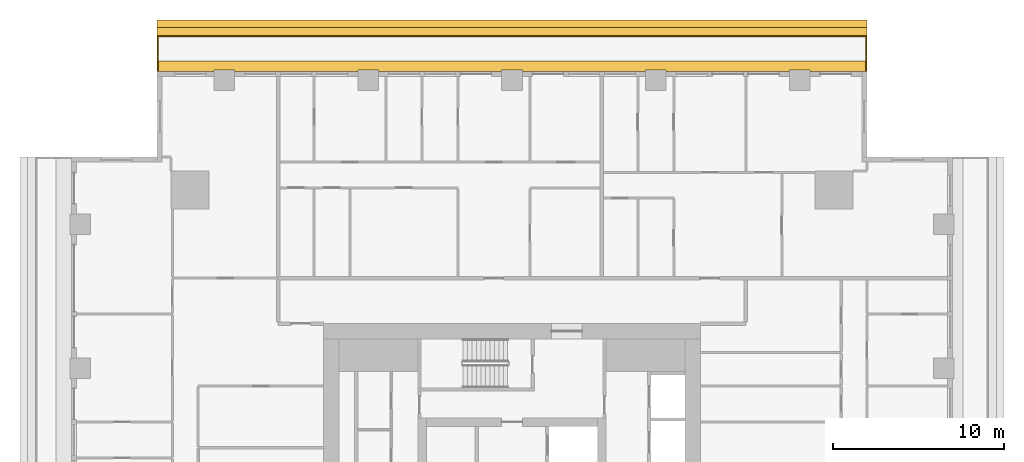
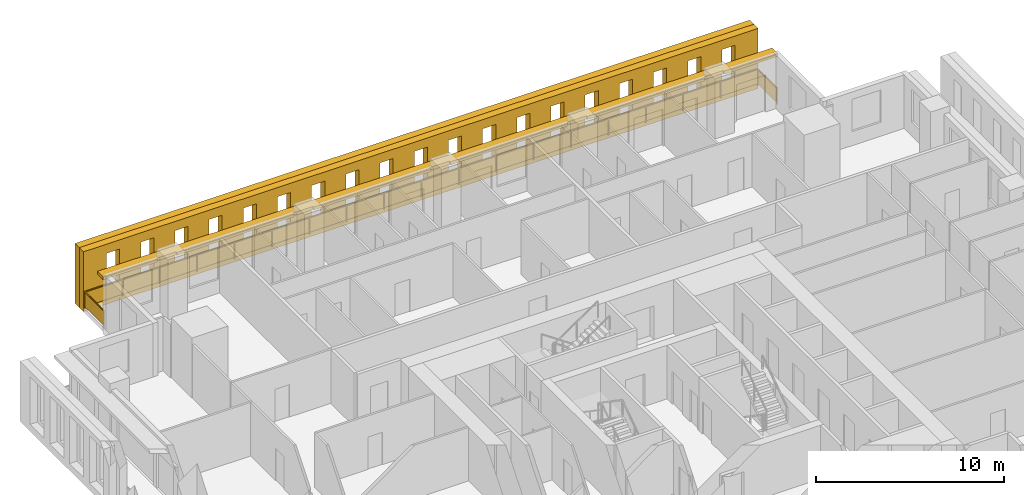
# One storey, part 15 of 15: 3 shading devices, 1 railing.
"""IFC4 building model written with IfcOpenShell, lengths in metres."""

import ifcopenshell
import ifcopenshell.guid

model = None  # the IFC model being written
_history = None  # IfcOwnerHistory: only IFC2X3 demands one
_inside = {}  # id of a spatial element -> (the spatial element, [elements in it])
_under = {}  # id of a project, library or spatial element -> (it, [spatial elements below it])
_declared = {}  # id of a project -> (the project, [libraries it declares])
_typed = {}  # id of a type object -> (the type object, [elements of that type])
_made_of = {}  # id of a material, layer set ... -> (it, [elements and type objects made of it])


def new_model(schema):
    """Start an empty IFC model of exactly this schema.

    Asked for "IFC4X3", IfcOpenShell would pick the latest addendum, in which some entities
    have other attributes; the version numbers below select the first issue.
    IFC2X3 requires an IfcOwnerHistory on every rooted entity: one is made here for all.
    """
    global model, _history
    if schema == "IFC4X3":
        model = ifcopenshell.file(schema_version=(4, 3, 0, 0))
    else:
        model = ifcopenshell.file(schema=schema)
    _inside.clear()
    _under.clear()
    _declared.clear()
    _typed.clear()
    _made_of.clear()
    _history = None
    if model.schema == "IFC2X3":
        org = make("IfcOrganization", Name="unknown")
        user = make(
            "IfcPersonAndOrganization",
            ThePerson=make("IfcPerson", FamilyName="unknown"),
            TheOrganization=org,
        )
        app = make(
            "IfcApplication",
            ApplicationDeveloper=org,
            Version="unknown",
            ApplicationFullName="unknown",
            ApplicationIdentifier="unknown",
        )
        _history = make(
            "IfcOwnerHistory",
            OwningUser=user,
            OwningApplication=app,
            ChangeAction="ADDED",
            CreationDate=0,
        )
    return model


def make(cls, **values):
    """One entity of the class cls with the attributes given. An attribute that is None is left unset."""
    return model.create_entity(
        cls, **{name: value for name, value in values.items() if value is not None}
    )


def rooted(cls, **values):
    """An entity with a GlobalId (a new one), such as an element, a storey or a relation."""
    return make(cls, GlobalId=ifcopenshell.guid.new(), OwnerHistory=_history, **values)


def si_unit(unit_type, name, prefix=None):
    """IfcSIUnit, for example si_unit("LENGTHUNIT", "METRE", prefix="MILLI")."""
    return make("IfcSIUnit", UnitType=unit_type, Prefix=prefix, Name=name)


def assignment(units):
    """IfcUnitAssignment: the units of a project."""
    return None if units is None else make("IfcUnitAssignment", Units=units)


def point(xyz):
    """IfcCartesianPoint."""
    return None if xyz is None else make("IfcCartesianPoint", Coordinates=xyz)


def direction(xyz):
    """IfcDirection."""
    return None if xyz is None else make("IfcDirection", DirectionRatios=xyz)


def frame(location, z_axis=None, x_axis=None):
    """IfcAxis2Placement3D, a coordinate frame: its origin and axes. An axis left out is left unset."""
    return make(
        "IfcAxis2Placement3D",
        Location=point(location),
        Axis=direction(z_axis),
        RefDirection=direction(x_axis),
    )


def frame_2d(location, x_axis=None):
    """IfcAxis2Placement2D, a coordinate frame in the plane: its origin and x axis."""
    return make(
        "IfcAxis2Placement2D", Location=point(location), RefDirection=direction(x_axis)
    )


def origin():
    """The frame at (0, 0, 0) with its axes left unset."""
    return frame((0.0, 0.0, 0.0))


def origin_2d():
    """The frame at (0, 0) in the plane with its x axis left unset."""
    return frame_2d((0.0, 0.0))


def place(relative_to, where):
    """IfcLocalPlacement: puts the frame where relative to a parent placement (None: the world)."""
    return make(
        "IfcLocalPlacement", PlacementRelTo=relative_to, RelativePlacement=where
    )


def context(
    kind, dimensions, precision=None, world=None, true_north=None, identifier=None
):
    """IfcGeometricRepresentationContext, for example the 3D "Model" context."""
    return make(
        "IfcGeometricRepresentationContext",
        ContextIdentifier=identifier,
        ContextType=kind,
        CoordinateSpaceDimension=dimensions,
        Precision=precision,
        WorldCoordinateSystem=world,
        TrueNorth=true_north,
    )


def subcontext(parent, identifier, kind, view, scale=None):
    """IfcGeometricRepresentationSubContext, for example "Body" below "Model"."""
    return make(
        "IfcGeometricRepresentationSubContext",
        ContextIdentifier=identifier,
        ContextType=kind,
        ParentContext=parent,
        TargetScale=scale,
        TargetView=view,
    )


def project(units=None, contexts=None):
    """IfcProject with its units and contexts."""
    return rooted(
        "IfcProject",
        Name="project",
        RepresentationContexts=contexts,
        UnitsInContext=assignment(units),
    )


def spatial(cls, under=None, at=None, **own):
    """A site, building, storey or space (cls), placed at a placement, below another one or the project."""
    s = rooted(cls, ObjectPlacement=at, **own)
    if under is not None:
        _under.setdefault(under.id(), (under, []))[1].append(s)
    return s


def polyline(points):
    """IfcPolyline through the points."""
    return make("IfcPolyline", Points=[point(p) for p in points])


def profile(cls, at=None, kind="AREA", **sizes):
    """A parametric profile (cls). Its sizes go by their IFC names, for example OverallWidth=200.0."""
    return make(cls, ProfileType=kind, Position=at, **sizes)


def rectangle(**sizes):
    """IfcRectangleProfileDef."""
    return profile("IfcRectangleProfileDef", **sizes)


def outline(outer, holes=None, kind="AREA"):
    """IfcArbitraryClosedProfileDef: a profile drawn as a closed curve; with holes, ...WithVoids."""
    if holes is None:
        return make("IfcArbitraryClosedProfileDef", ProfileType=kind, OuterCurve=outer)
    return make(
        "IfcArbitraryProfileDefWithVoids",
        ProfileType=kind,
        OuterCurve=outer,
        InnerCurves=holes,
    )


def extrude(swept, where, along, depth):
    """IfcExtrudedAreaSolid: the profile swept, set in the frame where, extruded along a direction by depth."""
    return make(
        "IfcExtrudedAreaSolid",
        SweptArea=swept,
        Position=where,
        ExtrudedDirection=direction(along),
        Depth=depth,
    )


def shape(context_of_items, identifier, shape_type, items):
    """IfcShapeRepresentation: the items that make up one representation, for example the "Body"."""
    return make(
        "IfcShapeRepresentation",
        ContextOfItems=context_of_items,
        RepresentationIdentifier=identifier,
        RepresentationType=shape_type,
        Items=items,
    )


def material(Name=None, Category=None):
    """IfcMaterial."""
    return make("IfcMaterial", Name=Name, Category=Category)


def layer(
    of_material, thickness, ventilated=None, Name=None, Category=None, Priority=None
):
    """IfcMaterialLayer: one layer of a wall or slab, of a material (None: an air gap)."""
    return make(
        "IfcMaterialLayer",
        Material=of_material,
        LayerThickness=thickness,
        IsVentilated=ventilated,
        Name=Name,
        Category=Category,
        Priority=Priority,
    )


def layer_set(layers, Name=None):
    """IfcMaterialLayerSet."""
    return make("IfcMaterialLayerSet", MaterialLayers=layers, LayerSetName=Name)


def made_of(thing, what):
    """Note that an element or type object is made of a material, layer set ...; save() writes the relation."""
    if what is not None:
        _made_of.setdefault(what.id(), (what, []))[1].append(thing)
    return thing


def type_object(cls, material=None, **own):
    """A type object (cls), such as IfcWallType, which elements share."""
    return made_of(rooted(cls, **own), material)


def element(
    cls,
    number,
    at=None,
    inside=None,
    cuts=None,
    type_object=None,
    material=None,
    context=None,
    identifier="Body",
    shape_type=None,
    held_by="IfcProductDefinitionShape",
    body=None,
    shapes=None,
    **own,
):
    """One element of the class cls, such as IfcWall. Its Tag is "e" and its number.

    at: its placement. inside: the storey or other place that contains it. cuts: it is an
    opening in that element (IfcRelVoidsElement). A single representation is given by context,
    identifier, shape_type and body (its items); several are given by shapes. held_by: the class
    of the entity that holds the representations. save() writes the other relations.
    """
    e = rooted(cls, Tag="e%d" % number, ObjectPlacement=at, **own)
    if body is not None:
        shapes = [shape(context, identifier, shape_type, body)]
    if shapes is not None:
        e.Representation = make(held_by, Representations=shapes)
    if inside is not None:
        _inside.setdefault(inside.id(), (inside, []))[1].append(e)
    if cuts is not None:
        rooted(
            "IfcRelVoidsElement", RelatingBuildingElement=cuts, RelatedOpeningElement=e
        )
    if type_object is not None:
        _typed.setdefault(type_object.id(), (type_object, []))[1].append(e)
    return made_of(e, material)


def aggregate(whole, parts):
    """IfcRelAggregates: a whole, such as a stair, and the parts it consists of."""
    return rooted("IfcRelAggregates", RelatingObject=whole, RelatedObjects=parts)


def save(model, path):
    """Write the relations noted so far, then the file.

    IfcRelAggregates (storeys below a building ...), IfcRelContainedInSpatialStructure (elements
    in a storey), IfcRelDefinesByType, IfcRelAssociatesMaterial and IfcRelDeclares: one each for
    every whole, place, type object, material and project.
    """
    for whole, parts in _under.values():
        aggregate(whole, parts)
    for where, things in _inside.values():
        rooted(
            "IfcRelContainedInSpatialStructure",
            RelatedElements=things,
            RelatingStructure=where,
        )
    for kind, things in _typed.values():
        rooted("IfcRelDefinesByType", RelatedObjects=things, RelatingType=kind)
    for what, things in _made_of.values():
        rooted("IfcRelAssociatesMaterial", RelatedObjects=things, RelatingMaterial=what)
    for by, libraries in _declared.values():
        rooted("IfcRelDeclares", RelatingContext=by, RelatedDefinitions=libraries)
    model.write(path)


model = new_model("IFC4")

# Units and contexts
model_context = context("Model", 3, precision=1e-05, world=origin(), true_north=direction((0.0, 1.0)))
body_context = subcontext(model_context, "Body", "Model", "MODEL_VIEW")
ifc_project = project(units=[si_unit("LENGTHUNIT", "METRE"), si_unit("AREAUNIT", "SQUARE_METRE"), si_unit("VOLUMEUNIT", "CUBIC_METRE"), si_unit("PLANEANGLEUNIT", "RADIAN"), si_unit("MASSUNIT", "GRAM", prefix="KILO")], contexts=[model_context])

# Site, building, storey
site_placement = place(None, origin())
site = spatial("IfcSite", under=ifc_project, at=site_placement, CompositionType="ELEMENT")
building_placement = place(site_placement, origin())
building = spatial("IfcBuilding", under=site, at=building_placement, Name="Khepri Terraces", CompositionType="ELEMENT")
storey_placement = place(building_placement, frame((0.0, 0.0, 244.5)))
storey = spatial("IfcBuildingStorey", under=building, at=storey_placement, Name="L58", CompositionType="ELEMENT", Elevation=244.5)

# Railing
ifc_material_1 = material(Name="Stainless steel grade 316", Category="steel")
railing_type = type_object("IfcRailingType", Name="GRD-BAL-1100", PredefinedType="GUARDRAIL", material=ifc_material_1)
railing_placement = place(storey_placement, frame((20.669921875, 25.719970703125, 0.0)))
element("IfcRailing", 1, at=railing_placement, inside=storey, type_object=railing_type, Name="Balcony guard L58 N", PredefinedType="GUARDRAIL", context=body_context, shape_type="SweptSolid", body=[
    extrude(rectangle(XDim=0.050048828125, YDim=0.06005859375, at=origin_2d()), frame((0.0, 0.0, 1.070068359375), z_axis=(0.0, 1.0, 0.0), x_axis=(-1.0, 0.0, 0.0)), (0.0, 0.0, 1.0), 2.050048828125),
    extrude(rectangle(XDim=2.0, YDim=0.011962890625, at=origin_2d()), frame((0.0, 1.02490234375, 0.10009765625), z_axis=(0.0, 0.0, 1.0), x_axis=(0.0, 1.0, 0.0)), (0.0, 0.0, 1.0), 0.93994140625),
    extrude(rectangle(XDim=0.050048828125, YDim=0.06005859375, at=origin_2d()), frame((0.0, 2.050048828125, 1.070068359375), z_axis=(-1.0, 0.0, 0.0), x_axis=(0.0, -1.0, 0.0)), (0.0, 0.0, 1.0), 41.33984375),
    extrude(rectangle(XDim=2.24658203125, YDim=0.011962890625, at=origin_2d()), frame((-1.1484375, 2.050048828125, 0.10009765625), z_axis=(0.0, 0.0, 1.0), x_axis=(-1.0, 0.0, 0.0)), (0.0, 0.0, 1.0), 0.93994140625),
    extrude(rectangle(XDim=2.24658203125, YDim=0.011962890625, at=origin_2d()), frame((-3.445068359375, 2.050048828125, 0.10009765625), z_axis=(0.0, 0.0, 1.0), x_axis=(-1.0, 0.0, 0.0)), (0.0, 0.0, 1.0), 0.93994140625),
    extrude(rectangle(XDim=2.24658203125, YDim=0.011962890625, at=origin_2d()), frame((-5.74169921875, 2.050048828125, 0.10009765625), z_axis=(0.0, 0.0, 1.0), x_axis=(-1.0, 0.0, 0.0)), (0.0, 0.0, 1.0), 0.93994140625),
    extrude(rectangle(XDim=2.24658203125, YDim=0.011962890625, at=origin_2d()), frame((-8.038330078125, 2.050048828125, 0.10009765625), z_axis=(0.0, 0.0, 1.0), x_axis=(-1.0, 0.0, 0.0)), (0.0, 0.0, 1.0), 0.93994140625),
    extrude(rectangle(XDim=2.24658203125, YDim=0.011962890625, at=origin_2d()), frame((-10.3349609375, 2.050048828125, 0.10009765625), z_axis=(0.0, 0.0, 1.0), x_axis=(-1.0, 0.0, 0.0)), (0.0, 0.0, 1.0), 0.93994140625),
    extrude(rectangle(XDim=2.24658203125, YDim=0.011962890625, at=origin_2d()), frame((-12.631591796875, 2.050048828125, 0.10009765625), z_axis=(0.0, 0.0, 1.0), x_axis=(-1.0, 0.0, 0.0)), (0.0, 0.0, 1.0), 0.93994140625),
    extrude(rectangle(XDim=2.24658203125, YDim=0.011962890625, at=origin_2d()), frame((-14.92822265625, 2.050048828125, 0.10009765625), z_axis=(0.0, 0.0, 1.0), x_axis=(-1.0, 0.0, 0.0)), (0.0, 0.0, 1.0), 0.93994140625),
    extrude(rectangle(XDim=2.24658203125, YDim=0.011962890625, at=origin_2d()), frame((-17.224853515625, 2.050048828125, 0.10009765625), z_axis=(0.0, 0.0, 1.0), x_axis=(-1.0, 0.0, 0.0)), (0.0, 0.0, 1.0), 0.93994140625),
    extrude(rectangle(XDim=2.24658203125, YDim=0.011962890625, at=origin_2d()), frame((-19.521484375, 2.050048828125, 0.10009765625), z_axis=(0.0, 0.0, 1.0), x_axis=(-1.0, 0.0, 0.0)), (0.0, 0.0, 1.0), 0.93994140625),
    extrude(rectangle(XDim=2.24658203125, YDim=0.011962890625, at=origin_2d()), frame((-21.818359375, 2.050048828125, 0.10009765625), z_axis=(0.0, 0.0, 1.0), x_axis=(-1.0, 0.0, 0.0)), (0.0, 0.0, 1.0), 0.93994140625),
    extrude(rectangle(XDim=2.24658203125, YDim=0.011962890625, at=origin_2d()), frame((-24.114990234375, 2.050048828125, 0.10009765625), z_axis=(0.0, 0.0, 1.0), x_axis=(-1.0, 0.0, 0.0)), (0.0, 0.0, 1.0), 0.93994140625),
    extrude(rectangle(XDim=2.24658203125, YDim=0.011962890625, at=origin_2d()), frame((-26.41162109375, 2.050048828125, 0.10009765625), z_axis=(0.0, 0.0, 1.0), x_axis=(-1.0, 0.0, 0.0)), (0.0, 0.0, 1.0), 0.93994140625),
    extrude(rectangle(XDim=2.24658203125, YDim=0.011962890625, at=origin_2d()), frame((-28.708251953125, 2.050048828125, 0.10009765625), z_axis=(0.0, 0.0, 1.0), x_axis=(-1.0, 0.0, 0.0)), (0.0, 0.0, 1.0), 0.93994140625),
    extrude(rectangle(XDim=2.24658203125, YDim=0.011962890625, at=origin_2d()), frame((-31.0048828125, 2.050048828125, 0.10009765625), z_axis=(0.0, 0.0, 1.0), x_axis=(-1.0, 0.0, 0.0)), (0.0, 0.0, 1.0), 0.93994140625),
    extrude(rectangle(XDim=2.24658203125, YDim=0.011962890625, at=origin_2d()), frame((-33.301513671875, 2.050048828125, 0.10009765625), z_axis=(0.0, 0.0, 1.0), x_axis=(-1.0, 0.0, 0.0)), (0.0, 0.0, 1.0), 0.93994140625),
    extrude(rectangle(XDim=2.24658203125, YDim=0.011962890625, at=origin_2d()), frame((-35.59814453125, 2.050048828125, 0.10009765625), z_axis=(0.0, 0.0, 1.0), x_axis=(-1.0, 0.0, 0.0)), (0.0, 0.0, 1.0), 0.93994140625),
    extrude(rectangle(XDim=2.24658203125, YDim=0.011962890625, at=origin_2d()), frame((-37.894775390625, 2.050048828125, 0.10009765625), z_axis=(0.0, 0.0, 1.0), x_axis=(-1.0, 0.0, 0.0)), (0.0, 0.0, 1.0), 0.93994140625),
    extrude(rectangle(XDim=2.24658203125, YDim=0.011962890625, at=origin_2d()), frame((-40.19140625, 2.050048828125, 0.10009765625), z_axis=(0.0, 0.0, 1.0), x_axis=(-1.0, 0.0, 0.0)), (0.0, 0.0, 1.0), 0.93994140625),
    extrude(rectangle(XDim=0.050048828125, YDim=0.06005859375, at=origin_2d()), frame((-41.33984375, 2.050048828125, 1.070068359375), z_axis=(0.0, -1.0, 0.0), x_axis=(1.0, 0.0, 0.0)), (0.0, 0.0, 1.0), 2.050048828125),
    extrude(rectangle(XDim=2.0, YDim=0.011962890625, at=origin_2d()), frame((-41.33984375, 1.02490234375, 0.10009765625), z_axis=(0.0, 0.0, 1.0), x_axis=(0.0, -1.0, 0.0)), (0.0, 0.0, 1.0), 0.93994140625),
    extrude(rectangle(XDim=0.050048828125, YDim=0.050048828125, at=origin_2d()), origin(), (0.0, 0.0, 1.0), 1.0400390625),
    extrude(rectangle(XDim=0.050048828125, YDim=0.050048828125, at=origin_2d()), frame((0.0, 2.050048828125, 0.0)), (0.0, 0.0, 1.0), 1.0400390625),
    extrude(rectangle(XDim=0.050048828125, YDim=0.050048828125, at=origin_2d()), frame((-2.296630859375, 2.050048828125, 0.0)), (0.0, 0.0, 1.0), 1.0400390625),
    extrude(rectangle(XDim=0.050048828125, YDim=0.050048828125, at=origin_2d()), frame((-4.59326171875, 2.050048828125, 0.0)), (0.0, 0.0, 1.0), 1.0400390625),
    extrude(rectangle(XDim=0.050048828125, YDim=0.050048828125, at=origin_2d()), frame((-6.889892578125, 2.050048828125, 0.0)), (0.0, 0.0, 1.0), 1.0400390625),
    extrude(rectangle(XDim=0.050048828125, YDim=0.050048828125, at=origin_2d()), frame((-9.1865234375, 2.050048828125, 0.0)), (0.0, 0.0, 1.0), 1.0400390625),
    extrude(rectangle(XDim=0.050048828125, YDim=0.050048828125, at=origin_2d()), frame((-11.4833984375, 2.050048828125, 0.0)), (0.0, 0.0, 1.0), 1.0400390625),
    extrude(rectangle(XDim=0.050048828125, YDim=0.050048828125, at=origin_2d()), frame((-13.780029296875, 2.050048828125, 0.0)), (0.0, 0.0, 1.0), 1.0400390625),
    extrude(rectangle(XDim=0.050048828125, YDim=0.050048828125, at=origin_2d()), frame((-16.07666015625, 2.050048828125, 0.0)), (0.0, 0.0, 1.0), 1.0400390625),
    extrude(rectangle(XDim=0.050048828125, YDim=0.050048828125, at=origin_2d()), frame((-18.373291015625, 2.050048828125, 0.0)), (0.0, 0.0, 1.0), 1.0400390625),
    extrude(rectangle(XDim=0.050048828125, YDim=0.050048828125, at=origin_2d()), frame((-20.669921875, 2.050048828125, 0.0)), (0.0, 0.0, 1.0), 1.0400390625),
    extrude(rectangle(XDim=0.050048828125, YDim=0.050048828125, at=origin_2d()), frame((-22.966552734375, 2.050048828125, 0.0)), (0.0, 0.0, 1.0), 1.0400390625),
    extrude(rectangle(XDim=0.050048828125, YDim=0.050048828125, at=origin_2d()), frame((-25.26318359375, 2.050048828125, 0.0)), (0.0, 0.0, 1.0), 1.0400390625),
    extrude(rectangle(XDim=0.050048828125, YDim=0.050048828125, at=origin_2d()), frame((-27.559814453125, 2.050048828125, 0.0)), (0.0, 0.0, 1.0), 1.0400390625),
    extrude(rectangle(XDim=0.050048828125, YDim=0.050048828125, at=origin_2d()), frame((-29.8564453125, 2.050048828125, 0.0)), (0.0, 0.0, 1.0), 1.0400390625),
    extrude(rectangle(XDim=0.050048828125, YDim=0.050048828125, at=origin_2d()), frame((-32.1533203125, 2.050048828125, 0.0)), (0.0, 0.0, 1.0), 1.0400390625),
    extrude(rectangle(XDim=0.050048828125, YDim=0.050048828125, at=origin_2d()), frame((-34.449951171875, 2.050048828125, 0.0)), (0.0, 0.0, 1.0), 1.0400390625),
    extrude(rectangle(XDim=0.050048828125, YDim=0.050048828125, at=origin_2d()), frame((-36.74658203125, 2.050048828125, 0.0)), (0.0, 0.0, 1.0), 1.0400390625),
    extrude(rectangle(XDim=0.050048828125, YDim=0.050048828125, at=origin_2d()), frame((-39.043212890625, 2.050048828125, 0.0)), (0.0, 0.0, 1.0), 1.0400390625),
    extrude(rectangle(XDim=0.050048828125, YDim=0.050048828125, at=origin_2d()), frame((-41.33984375, 2.050048828125, 0.0)), (0.0, 0.0, 1.0), 1.0400390625),
    extrude(rectangle(XDim=0.050048828125, YDim=0.050048828125, at=origin_2d()), frame((-41.33984375, 0.0, 0.0)), (0.0, 0.0, 1.0), 1.0400390625),
])

# Shading devices
ifc_material_2 = material(Name="Precast concrete C50/60 warm stone", Category="masonry")
shading_device_type_1 = type_object("IfcShadingDeviceType", Name="SCR-CELL-INNER-450", PredefinedType="USERDEFINED", material=ifc_material_2)
shading_device_1_placement = place(storey_placement, frame((20.719970703125, 27.820068359375, -0.25), z_axis=(0.0, 1.0, 0.0), x_axis=(-1.0, 0.0, 0.0)))
element("IfcShadingDevice", 2, at=shading_device_1_placement, inside=storey, type_object=shading_device_type_1, Name="Cell screen L58 N in", ObjectType="SCREEN", PredefinedType="USERDEFINED", context=body_context, shape_type="SweptSolid", body=[
    extrude(outline(polyline([(0.0, 0.0), (41.43994140625, 0.0), (41.43994140625, 3.89990234375), (0.0, 3.89990234375), (0.0, 0.0)]), holes=[polyline([(1.41845703125, 0.699951171875), (2.2216796875, 0.699951171875), (2.2216796875, 3.300048828125), (1.41845703125, 3.300048828125), (1.41845703125, 0.699951171875)]), polyline([(3.518310546875, 0.699951171875), (4.321533203125, 0.699951171875), (4.321533203125, 3.300048828125), (3.518310546875, 3.300048828125), (3.518310546875, 0.699951171875)]), polyline([(5.618408203125, 0.699951171875), (6.421630859375, 0.699951171875), (6.421630859375, 3.300048828125), (5.618408203125, 3.300048828125), (5.618408203125, 0.699951171875)]), polyline([(7.718505859375, 0.699951171875), (8.521484375, 0.699951171875), (8.521484375, 3.300048828125), (7.718505859375, 3.300048828125), (7.718505859375, 0.699951171875)]), polyline([(9.818359375, 0.699951171875), (10.62158203125, 0.699951171875), (10.62158203125, 3.300048828125), (9.818359375, 3.300048828125), (9.818359375, 0.699951171875)]), polyline([(11.91845703125, 0.699951171875), (12.7216796875, 0.699951171875), (12.7216796875, 3.300048828125), (11.91845703125, 3.300048828125), (11.91845703125, 0.699951171875)]), polyline([(14.018310546875, 0.699951171875), (14.821533203125, 0.699951171875), (14.821533203125, 3.300048828125), (14.018310546875, 3.300048828125), (14.018310546875, 0.699951171875)]), polyline([(16.118408203125, 0.699951171875), (16.921630859375, 0.699951171875), (16.921630859375, 3.300048828125), (16.118408203125, 3.300048828125), (16.118408203125, 0.699951171875)]), polyline([(18.218505859375, 0.699951171875), (19.021484375, 0.699951171875), (19.021484375, 3.300048828125), (18.218505859375, 3.300048828125), (18.218505859375, 0.699951171875)]), polyline([(20.318359375, 0.699951171875), (21.12158203125, 0.699951171875), (21.12158203125, 3.300048828125), (20.318359375, 3.300048828125), (20.318359375, 0.699951171875)]), polyline([(22.41845703125, 0.699951171875), (23.2216796875, 0.699951171875), (23.2216796875, 3.300048828125), (22.41845703125, 3.300048828125), (22.41845703125, 0.699951171875)]), polyline([(24.518310546875, 0.699951171875), (25.321533203125, 0.699951171875), (25.321533203125, 3.300048828125), (24.518310546875, 3.300048828125), (24.518310546875, 0.699951171875)]), polyline([(26.618408203125, 0.699951171875), (27.421630859375, 0.699951171875), (27.421630859375, 3.300048828125), (26.618408203125, 3.300048828125), (26.618408203125, 0.699951171875)]), polyline([(28.718505859375, 0.699951171875), (29.521484375, 0.699951171875), (29.521484375, 3.300048828125), (28.718505859375, 3.300048828125), (28.718505859375, 0.699951171875)]), polyline([(30.818359375, 0.699951171875), (31.62158203125, 0.699951171875), (31.62158203125, 3.300048828125), (30.818359375, 3.300048828125), (30.818359375, 0.699951171875)]), polyline([(32.91845703125, 0.699951171875), (33.7216796875, 0.699951171875), (33.7216796875, 3.300048828125), (32.91845703125, 3.300048828125), (32.91845703125, 0.699951171875)]), polyline([(35.018310546875, 0.699951171875), (35.821533203125, 0.699951171875), (35.821533203125, 3.300048828125), (35.018310546875, 3.300048828125), (35.018310546875, 0.699951171875)]), polyline([(37.118408203125, 0.699951171875), (37.921630859375, 0.699951171875), (37.921630859375, 3.300048828125), (37.118408203125, 3.300048828125), (37.118408203125, 0.699951171875)]), polyline([(39.218505859375, 0.699951171875), (40.021484375, 0.699951171875), (40.021484375, 3.300048828125), (39.218505859375, 3.300048828125), (39.218505859375, 0.699951171875)])]), origin(), (0.0, 0.0, 1.0), 0.449951171875),
])
shading_device_type_2 = type_object("IfcShadingDeviceType", Name="SCR-CELL-OUTER-450", PredefinedType="USERDEFINED", material=ifc_material_2)
shading_device_2_placement = place(storey_placement, frame((20.719970703125, 28.27001953125, -0.25), z_axis=(0.0, 1.0, 0.0), x_axis=(-1.0, 0.0, 0.0)))
element("IfcShadingDevice", 3, at=shading_device_2_placement, inside=storey, type_object=shading_device_type_2, Name="Cell screen L58 N out", ObjectType="SCREEN", PredefinedType="USERDEFINED", context=body_context, shape_type="SweptSolid", body=[
    extrude(outline(polyline([(0.0, 0.0), (41.43994140625, 0.0), (41.43994140625, 3.89990234375), (0.0, 3.89990234375), (0.0, 0.0)]), holes=[polyline([(1.068359375, 0.449951171875), (2.571533203125, 0.449951171875), (2.571533203125, 3.550048828125), (1.068359375, 3.550048828125), (1.068359375, 0.449951171875)]), polyline([(3.16845703125, 0.449951171875), (4.671630859375, 0.449951171875), (4.671630859375, 3.550048828125), (3.16845703125, 3.550048828125), (3.16845703125, 0.449951171875)]), polyline([(5.268310546875, 0.449951171875), (6.771484375, 0.449951171875), (6.771484375, 3.550048828125), (5.268310546875, 3.550048828125), (5.268310546875, 0.449951171875)]), polyline([(7.368408203125, 0.449951171875), (8.87158203125, 0.449951171875), (8.87158203125, 3.550048828125), (7.368408203125, 3.550048828125), (7.368408203125, 0.449951171875)]), polyline([(9.468505859375, 0.449951171875), (10.9716796875, 0.449951171875), (10.9716796875, 3.550048828125), (9.468505859375, 3.550048828125), (9.468505859375, 0.449951171875)]), polyline([(11.568359375, 0.449951171875), (13.071533203125, 0.449951171875), (13.071533203125, 3.550048828125), (11.568359375, 3.550048828125), (11.568359375, 0.449951171875)]), polyline([(13.66845703125, 0.449951171875), (15.171630859375, 0.449951171875), (15.171630859375, 3.550048828125), (13.66845703125, 3.550048828125), (13.66845703125, 0.449951171875)]), polyline([(15.768310546875, 0.449951171875), (17.271484375, 0.449951171875), (17.271484375, 3.550048828125), (15.768310546875, 3.550048828125), (15.768310546875, 0.449951171875)]), polyline([(17.868408203125, 0.449951171875), (19.37158203125, 0.449951171875), (19.37158203125, 3.550048828125), (17.868408203125, 3.550048828125), (17.868408203125, 0.449951171875)]), polyline([(19.968505859375, 0.449951171875), (21.4716796875, 0.449951171875), (21.4716796875, 3.550048828125), (19.968505859375, 3.550048828125), (19.968505859375, 0.449951171875)]), polyline([(22.068359375, 0.449951171875), (23.571533203125, 0.449951171875), (23.571533203125, 3.550048828125), (22.068359375, 3.550048828125), (22.068359375, 0.449951171875)]), polyline([(24.16845703125, 0.449951171875), (25.671630859375, 0.449951171875), (25.671630859375, 3.550048828125), (24.16845703125, 3.550048828125), (24.16845703125, 0.449951171875)]), polyline([(26.268310546875, 0.449951171875), (27.771484375, 0.449951171875), (27.771484375, 3.550048828125), (26.268310546875, 3.550048828125), (26.268310546875, 0.449951171875)]), polyline([(28.368408203125, 0.449951171875), (29.87158203125, 0.449951171875), (29.87158203125, 3.550048828125), (28.368408203125, 3.550048828125), (28.368408203125, 0.449951171875)]), polyline([(30.468505859375, 0.449951171875), (31.9716796875, 0.449951171875), (31.9716796875, 3.550048828125), (30.468505859375, 3.550048828125), (30.468505859375, 0.449951171875)]), polyline([(32.568359375, 0.449951171875), (34.071533203125, 0.449951171875), (34.071533203125, 3.550048828125), (32.568359375, 3.550048828125), (32.568359375, 0.449951171875)]), polyline([(34.66845703125, 0.449951171875), (36.171630859375, 0.449951171875), (36.171630859375, 3.550048828125), (34.66845703125, 3.550048828125), (34.66845703125, 0.449951171875)]), polyline([(36.768310546875, 0.449951171875), (38.271484375, 0.449951171875), (38.271484375, 3.550048828125), (36.768310546875, 3.550048828125), (36.768310546875, 0.449951171875)]), polyline([(38.868408203125, 0.449951171875), (40.37158203125, 0.449951171875), (40.37158203125, 3.550048828125), (38.868408203125, 3.550048828125), (38.868408203125, 0.449951171875)])]), origin(), (0.0, 0.0, 1.0), 0.449951171875),
])
ifc_layer = layer(ifc_material_2, 0.199951171875, Name="Precast concrete C50/60 warm stone", Category="masonry")
ifc_layer_set = layer_set([ifc_layer], Name="Precast concrete C50/60 warm stone")
shading_device_type_3 = type_object("IfcShadingDeviceType", Name="SSH-BAND-STONE-200-N", PredefinedType="USERDEFINED", material=ifc_layer_set)
shading_device_3_placement = place(storey_placement, frame((0.0, 0.0, 3.10009765625)))
element("IfcShadingDevice", 4, at=shading_device_3_placement, inside=storey, type_object=shading_device_type_3, Name="Sunshade band L58 N", ObjectType="SUNSHADE", PredefinedType="USERDEFINED", context=body_context, shape_type="SweptSolid", body=[
    extrude(outline(polyline([(17.39990234375, 25.719970703125), (20.719970703125, 25.719970703125), (20.719970703125, 26.320068359375), (-20.719970703125, 26.320068359375), (-20.719970703125, 25.719970703125), (-17.39990234375, 25.719970703125), (-17.39990234375, 25.800048828125), (-16.199951171875, 25.800048828125), (-16.199951171875, 25.719970703125), (-9.0, 25.719970703125), (-9.0, 25.800048828125), (-7.800048828125, 25.800048828125), (-7.800048828125, 25.719970703125), (-0.60009765625, 25.719970703125), (-0.60009765625, 25.800048828125), (0.60009765625, 25.800048828125), (0.60009765625, 25.719970703125), (7.800048828125, 25.719970703125), (7.800048828125, 25.800048828125), (9.0, 25.800048828125), (9.0, 25.719970703125), (16.199951171875, 25.719970703125), (16.199951171875, 25.800048828125), (17.39990234375, 25.800048828125), (17.39990234375, 25.719970703125)])), origin(), (0.0, 0.0, 1.0), 0.199951171875),
])

save(model, "model.ifc")
